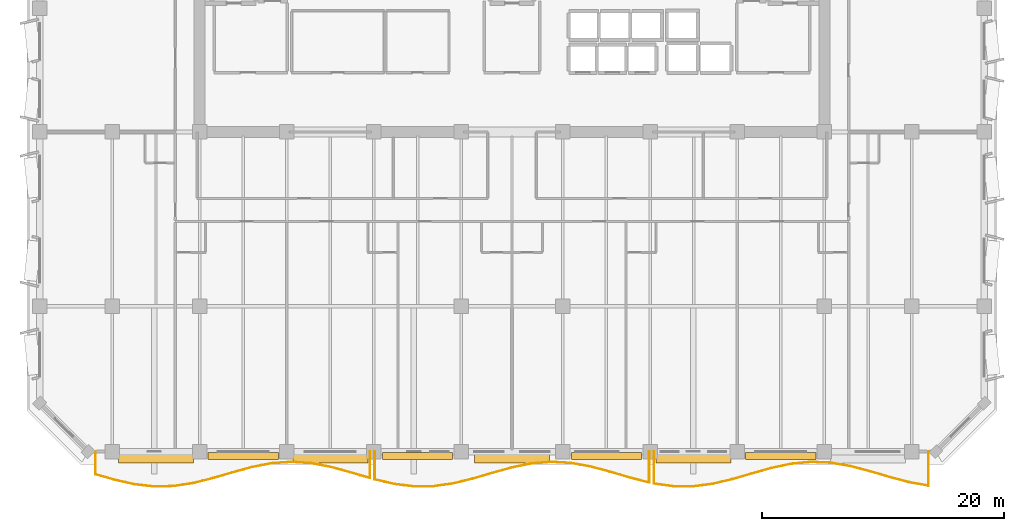
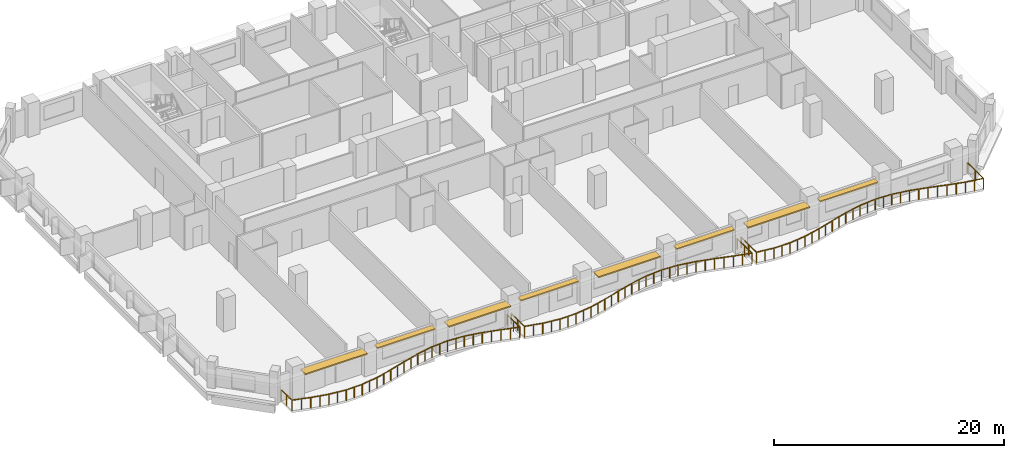
# One storey, part 10 of 14: 8 shading devices, 3 railings.
"""IFC4 building model written with IfcOpenShell, lengths in metres."""

from ifc_helpers import new_model, si_unit, direction, frame, origin, origin_2d, place, context, subcontext, project, spatial, rectangle, extrude, material, layer, layer_set, type_object, element, save


model = new_model("IFC4")

# Units and contexts
model_context = context("Model", 3, precision=1e-05, world=origin(), true_north=direction((0.0, 1.0)))
body_context = subcontext(model_context, "Body", "Model", "MODEL_VIEW")
ifc_project = project(units=[si_unit("LENGTHUNIT", "METRE"), si_unit("AREAUNIT", "SQUARE_METRE"), si_unit("VOLUMEUNIT", "CUBIC_METRE"), si_unit("PLANEANGLEUNIT", "RADIAN"), si_unit("MASSUNIT", "GRAM", prefix="KILO")], contexts=[model_context])

# Site, building, storey
site_placement = place(None, origin())
site = spatial("IfcSite", under=ifc_project, at=site_placement, CompositionType="ELEMENT")
building_placement = place(site_placement, origin())
building = spatial("IfcBuilding", under=site, at=building_placement, Name="Kaelvorn Grand Hotel", CompositionType="ELEMENT")
storey_placement = place(building_placement, frame((0.0, 0.0, 197.75)))
storey = spatial("IfcBuildingStorey", under=building, at=storey_placement, Name="L48", CompositionType="ELEMENT", Elevation=197.75)

# Railings
ifc_material_1 = material(Name="Stainless Steel", Category="steel")
railing_type = type_object("IfcRailingType", Name="RL-BALC-1150", PredefinedType="BALUSTRADE", material=ifc_material_1)
railing_1_placement = place(storey_placement, frame((7.60009765625, 3.0, 0.0)))
element("IfcRailing", 1, at=railing_1_placement, inside=storey, type_object=railing_type, Name="L48 Scalloped Wave Balcony Balustrade GR1-1", PredefinedType="BALUSTRADE", context=body_context, shape_type="SweptSolid", body=[
    extrude(rectangle(XDim=0.048095703125, YDim=0.048095703125, at=origin_2d()), frame((0.0, 0.0, 1.1259765625), z_axis=(0.0, -1.0, 0.0), x_axis=(1.0, 0.0, 0.0)), (0.0, 0.0, 1.0), 1.875),
    extrude(rectangle(XDim=0.048095703125, YDim=0.048095703125, at=origin_2d()), frame((0.0, -1.875, 1.1259765625), z_axis=(0.961123652399, -0.276118316667, 0.0), x_axis=(0.276118316667, 0.961123652399, 0.0)), (0.0, 0.0, 1.0), 1.684326171875),
    extrude(rectangle(XDim=0.048095703125, YDim=0.048095703125, at=origin_2d()), frame((1.618896484375, -2.340087890625, 1.1259765625), z_axis=(0.975679021294, -0.219204122697, 0.0), x_axis=(0.219204122697, 0.975679021294, 0.0)), (0.0, 0.0, 1.0), 1.659423828125),
    extrude(rectangle(XDim=0.048095703125, YDim=0.048095703125, at=origin_2d()), frame((3.238037109375, -2.703857421875, 1.1259765625), z_axis=(0.993647594746, -0.112536471672, 0.0), x_axis=(0.112536471672, 0.993647594746, 0.0)), (0.0, 0.0, 1.0), 1.629150390625),
    extrude(rectangle(XDim=0.048095703125, YDim=0.048095703125, at=origin_2d()), frame((4.85693359375, -2.88720703125, 1.1259765625), z_axis=(0.999737459028, 0.022913162511, 0.0), x_axis=(-0.022913162511, 0.999737459028, 0.0)), (0.0, 0.0, 1.0), 1.61962890625),
    extrude(rectangle(XDim=0.048095703125, YDim=0.048095703125, at=origin_2d()), frame((6.47607421875, -2.85009765625, 1.1259765625), z_axis=(0.988356186669, 0.15215797144, 0.0), x_axis=(-0.15215797144, 0.988356186669, 0.0)), (0.0, 0.0, 1.0), 1.63818359375),
    extrude(rectangle(XDim=0.048095703125, YDim=0.048095703125, at=origin_2d()), frame((8.09521484375, -2.600830078125, 1.1259765625), z_axis=(0.969754143814, 0.244083798224, 0.0), x_axis=(-0.244083798224, 0.969754143814, 0.0)), (0.0, 0.0, 1.0), 1.66943359375),
    extrude(rectangle(XDim=0.048095703125, YDim=0.048095703125, at=origin_2d()), frame((9.714111328125, -2.193359375, 1.1259765625), z_axis=(0.959271015447, 0.282487378343, 0.0), x_axis=(-0.282487378343, 0.959271015447, 0.0)), (0.0, 0.0, 1.0), 1.68798828125),
    extrude(rectangle(XDim=0.048095703125, YDim=0.048095703125, at=origin_2d()), frame((11.333251953125, -1.716552734375, 1.1259765625), z_axis=(0.964679853883, 0.26342509279, 0.0), x_axis=(-0.26342509279, 0.964679853883, 0.0)), (0.0, 0.0, 1.0), 1.678466796875),
    extrude(rectangle(XDim=0.048095703125, YDim=0.048095703125, at=origin_2d()), frame((12.952392578125, -1.2744140625, 1.1259765625), z_axis=(0.981984258407, 0.188962737706, 0.0), x_axis=(-0.188962737706, 0.981984258407, 0.0)), (0.0, 0.0, 1.0), 1.648681640625),
    extrude(rectangle(XDim=0.048095703125, YDim=0.048095703125, at=origin_2d()), frame((14.5712890625, -0.962890625, 1.1259765625), z_axis=(0.997582381569, 0.069493826943, 0.0), x_axis=(-0.069493826943, 0.997582381569, 0.0)), (0.0, 0.0, 1.0), 1.623046875),
    extrude(rectangle(XDim=0.048095703125, YDim=0.048095703125, at=origin_2d()), frame((16.1904296875, -0.85009765625, 1.1259765625), z_axis=(0.997695050209, -0.067857105662, 0.0), x_axis=(0.067857105662, 0.997695050209, 0.0)), (0.0, 0.0, 1.0), 1.62255859375),
    extrude(rectangle(XDim=0.048095703125, YDim=0.048095703125, at=origin_2d()), frame((17.809326171875, -0.960205078125, 1.1259765625), z_axis=(0.98220870142, -0.187792616616, 0.0), x_axis=(0.187792616616, 0.98220870142, 0.0)), (0.0, 0.0, 1.0), 1.6484375),
    extrude(rectangle(XDim=0.048095703125, YDim=0.048095703125, at=origin_2d()), frame((19.428466796875, -1.269775390625, 1.1259765625), z_axis=(0.964827580551, -0.26288350996, 0.0), x_axis=(0.26288350996, 0.964827580551, 0.0)), (0.0, 0.0, 1.0), 1.67822265625),
    extrude(rectangle(XDim=0.048095703125, YDim=0.048095703125, at=origin_2d()), frame((21.047607421875, -1.7109375, 1.1259765625), z_axis=(0.95922025705, -0.282659686665, 0.0), x_axis=(0.282659686665, 0.95922025705, 0.0)), (0.0, 0.0, 1.0), 1.687744140625),
    extrude(rectangle(XDim=0.048095703125, YDim=0.048095703125, at=origin_2d()), frame((22.66650390625, -2.18798828125, 1.1259765625), z_axis=(0.0, 1.0, 0.0), x_axis=(-1.0, 0.0, 0.0)), (0.0, 0.0, 1.0), 2.18798828125),
    extrude(rectangle(XDim=0.0419921875, YDim=0.0419921875, at=origin_2d()), origin(), (0.0, 0.0, 1.0), 1.101806640625),
    extrude(rectangle(XDim=0.0419921875, YDim=0.0419921875, at=origin_2d()), frame((0.0, -0.9375, 0.0)), (0.0, 0.0, 1.0), 1.101806640625),
    extrude(rectangle(XDim=0.0419921875, YDim=0.0419921875, at=origin_2d()), frame((0.0, -1.875, 0.0)), (0.0, 0.0, 1.0), 1.101806640625),
    extrude(rectangle(XDim=0.0419921875, YDim=0.0419921875, at=origin_2d()), frame((0.8095703125, -2.107421875, 0.0)), (0.0, 0.0, 1.0), 1.101806640625),
    extrude(rectangle(XDim=0.0419921875, YDim=0.0419921875, at=origin_2d()), frame((1.618896484375, -2.340087890625, 0.0)), (0.0, 0.0, 1.0), 1.101806640625),
    extrude(rectangle(XDim=0.0419921875, YDim=0.0419921875, at=origin_2d()), frame((2.428466796875, -2.52197265625, 0.0)), (0.0, 0.0, 1.0), 1.101806640625),
    extrude(rectangle(XDim=0.0419921875, YDim=0.0419921875, at=origin_2d()), frame((3.238037109375, -2.703857421875, 0.0)), (0.0, 0.0, 1.0), 1.101806640625),
    extrude(rectangle(XDim=0.0419921875, YDim=0.0419921875, at=origin_2d()), frame((4.04736328125, -2.79541015625, 0.0)), (0.0, 0.0, 1.0), 1.101806640625),
    extrude(rectangle(XDim=0.0419921875, YDim=0.0419921875, at=origin_2d()), frame((4.85693359375, -2.88720703125, 0.0)), (0.0, 0.0, 1.0), 1.101806640625),
    extrude(rectangle(XDim=0.0419921875, YDim=0.0419921875, at=origin_2d()), frame((5.66650390625, -2.86865234375, 0.0)), (0.0, 0.0, 1.0), 1.101806640625),
    extrude(rectangle(XDim=0.0419921875, YDim=0.0419921875, at=origin_2d()), frame((6.47607421875, -2.85009765625, 0.0)), (0.0, 0.0, 1.0), 1.101806640625),
    extrude(rectangle(XDim=0.0419921875, YDim=0.0419921875, at=origin_2d()), frame((7.28564453125, -2.7255859375, 0.0)), (0.0, 0.0, 1.0), 1.101806640625),
    extrude(rectangle(XDim=0.0419921875, YDim=0.0419921875, at=origin_2d()), frame((8.09521484375, -2.600830078125, 0.0)), (0.0, 0.0, 1.0), 1.101806640625),
    extrude(rectangle(XDim=0.0419921875, YDim=0.0419921875, at=origin_2d()), frame((8.90478515625, -2.39697265625, 0.0)), (0.0, 0.0, 1.0), 1.101806640625),
    extrude(rectangle(XDim=0.0419921875, YDim=0.0419921875, at=origin_2d()), frame((9.714111328125, -2.193359375, 0.0)), (0.0, 0.0, 1.0), 1.101806640625),
    extrude(rectangle(XDim=0.0419921875, YDim=0.0419921875, at=origin_2d()), frame((10.523681640625, -1.955078125, 0.0)), (0.0, 0.0, 1.0), 1.101806640625),
    extrude(rectangle(XDim=0.0419921875, YDim=0.0419921875, at=origin_2d()), frame((11.333251953125, -1.716552734375, 0.0)), (0.0, 0.0, 1.0), 1.101806640625),
    extrude(rectangle(XDim=0.0419921875, YDim=0.0419921875, at=origin_2d()), frame((12.142822265625, -1.49560546875, 0.0)), (0.0, 0.0, 1.0), 1.101806640625),
    extrude(rectangle(XDim=0.0419921875, YDim=0.0419921875, at=origin_2d()), frame((12.952392578125, -1.2744140625, 0.0)), (0.0, 0.0, 1.0), 1.101806640625),
    extrude(rectangle(XDim=0.0419921875, YDim=0.0419921875, at=origin_2d()), frame((13.76171875, -1.11865234375, 0.0)), (0.0, 0.0, 1.0), 1.101806640625),
    extrude(rectangle(XDim=0.0419921875, YDim=0.0419921875, at=origin_2d()), frame((14.5712890625, -0.962890625, 0.0)), (0.0, 0.0, 1.0), 1.101806640625),
    extrude(rectangle(XDim=0.0419921875, YDim=0.0419921875, at=origin_2d()), frame((15.380859375, -0.906494140625, 0.0)), (0.0, 0.0, 1.0), 1.101806640625),
    extrude(rectangle(XDim=0.0419921875, YDim=0.0419921875, at=origin_2d()), frame((16.1904296875, -0.85009765625, 0.0)), (0.0, 0.0, 1.0), 1.101806640625),
    extrude(rectangle(XDim=0.0419921875, YDim=0.0419921875, at=origin_2d()), frame((17.0, -0.9052734375, 0.0)), (0.0, 0.0, 1.0), 1.101806640625),
    extrude(rectangle(XDim=0.0419921875, YDim=0.0419921875, at=origin_2d()), frame((17.809326171875, -0.960205078125, 0.0)), (0.0, 0.0, 1.0), 1.101806640625),
    extrude(rectangle(XDim=0.0419921875, YDim=0.0419921875, at=origin_2d()), frame((18.618896484375, -1.114990234375, 0.0)), (0.0, 0.0, 1.0), 1.101806640625),
    extrude(rectangle(XDim=0.0419921875, YDim=0.0419921875, at=origin_2d()), frame((19.428466796875, -1.269775390625, 0.0)), (0.0, 0.0, 1.0), 1.101806640625),
    extrude(rectangle(XDim=0.0419921875, YDim=0.0419921875, at=origin_2d()), frame((20.238037109375, -1.490234375, 0.0)), (0.0, 0.0, 1.0), 1.101806640625),
    extrude(rectangle(XDim=0.0419921875, YDim=0.0419921875, at=origin_2d()), frame((21.047607421875, -1.7109375, 0.0)), (0.0, 0.0, 1.0), 1.101806640625),
    extrude(rectangle(XDim=0.0419921875, YDim=0.0419921875, at=origin_2d()), frame((21.85693359375, -1.949462890625, 0.0)), (0.0, 0.0, 1.0), 1.101806640625),
    extrude(rectangle(XDim=0.0419921875, YDim=0.0419921875, at=origin_2d()), frame((22.66650390625, -2.18798828125, 0.0)), (0.0, 0.0, 1.0), 1.101806640625),
    extrude(rectangle(XDim=0.0419921875, YDim=0.0419921875, at=origin_2d()), frame((22.66650390625, -1.093994140625, 0.0)), (0.0, 0.0, 1.0), 1.101806640625),
    extrude(rectangle(XDim=0.0419921875, YDim=0.0419921875, at=origin_2d()), frame((22.66650390625, 0.0, 0.0)), (0.0, 0.0, 1.0), 1.101806640625),
])
railing_2_placement = place(storey_placement, frame((30.666748046875, 3.0, 0.0)))
element("IfcRailing", 2, at=railing_2_placement, inside=storey, type_object=railing_type, Name="L48 Scalloped Wave Balcony Balustrade GR1-2", PredefinedType="BALUSTRADE", context=body_context, shape_type="SweptSolid", body=[
    extrude(rectangle(XDim=0.048095703125, YDim=0.048095703125, at=origin_2d()), frame((0.0, 0.0, 1.1259765625), z_axis=(0.0, -1.0, 0.0), x_axis=(1.0, 0.0, 0.0)), (0.0, 0.0, 1.0), 2.299072265625),
    extrude(rectangle(XDim=0.048095703125, YDim=0.048095703125, at=origin_2d()), frame((0.0, -2.299072265625, 1.1259765625), z_axis=(0.97391374526, -0.226918524571, 0.0), x_axis=(0.226918524571, 0.97391374526, 0.0)), (0.0, 0.0, 1.0), 1.662353515625),
    extrude(rectangle(XDim=0.048095703125, YDim=0.048095703125, at=origin_2d()), frame((1.618896484375, -2.67626953125, 1.1259765625), z_axis=(0.992241004877, -0.124329353898, 0.0), x_axis=(0.124329353898, 0.992241004877, 0.0)), (0.0, 0.0, 1.0), 1.6318359375),
    extrude(rectangle(XDim=0.048095703125, YDim=0.048095703125, at=origin_2d()), frame((3.238037109375, -2.879150390625, 1.1259765625), z_axis=(0.999951974002, 0.009800494317, 0.0), x_axis=(-0.009800494317, 0.999951974002, 0.0)), (0.0, 0.0, 1.0), 1.619140625),
    extrude(rectangle(XDim=0.048095703125, YDim=0.048095703125, at=origin_2d()), frame((4.857177734375, -2.86328125, 1.1259765625), z_axis=(0.98995546446, 0.141379554342, 0.0), x_axis=(-0.141379554342, 0.98995546446, 0.0)), (0.0, 0.0, 1.0), 1.63525390625),
    extrude(rectangle(XDim=0.048095703125, YDim=0.048095703125, at=origin_2d()), frame((6.47607421875, -2.632080078125, 1.1259765625), z_axis=(0.971404261789, 0.237431590525, 0.0), x_axis=(-0.237431590525, 0.971404261789, 0.0)), (0.0, 0.0, 1.0), 1.666748046875),
    extrude(rectangle(XDim=0.048095703125, YDim=0.048095703125, at=origin_2d()), frame((8.09521484375, -2.236328125, 1.1259765625), z_axis=(0.959611705513, 0.281327877472, 0.0), x_axis=(-0.281327877472, 0.959611705513, 0.0)), (0.0, 0.0, 1.0), 1.68701171875),
    extrude(rectangle(XDim=0.048095703125, YDim=0.048095703125, at=origin_2d()), frame((9.714111328125, -1.76171875, 1.1259765625), z_axis=(0.963488764912, 0.267748762626, 0.0), x_axis=(-0.267748762626, 0.963488764912, 0.0)), (0.0, 0.0, 1.0), 1.680419921875),
    extrude(rectangle(XDim=0.048095703125, YDim=0.048095703125, at=origin_2d()), frame((11.333251953125, -1.311767578125, 1.1259765625), z_axis=(0.980192223975, 0.198048489163, 0.0), x_axis=(-0.198048489163, 0.980192223975, 0.0)), (0.0, 0.0, 1.0), 1.65185546875),
    extrude(rectangle(XDim=0.048095703125, YDim=0.048095703125, at=origin_2d()), frame((12.952392578125, -0.984619140625, 1.1259765625), z_axis=(0.996614857053, 0.082212083669, 0.0), x_axis=(-0.082212083669, 0.996614857053, 0.0)), (0.0, 0.0, 1.0), 1.62451171875),
    extrude(rectangle(XDim=0.048095703125, YDim=0.048095703125, at=origin_2d()), frame((14.5712890625, -0.85107421875, 1.1259765625), z_axis=(0.998472373967, -0.055253220936, 0.0), x_axis=(0.055253220936, 0.998472373967, 0.0)), (0.0, 0.0, 1.0), 1.62158203125),
    extrude(rectangle(XDim=0.048095703125, YDim=0.048095703125, at=origin_2d()), frame((16.1904296875, -0.940673828125, 1.1259765625), z_axis=(0.984016786226, -0.178075726658, 0.0), x_axis=(0.178075726658, 0.984016786226, 0.0)), (0.0, 0.0, 1.0), 1.645263671875),
    extrude(rectangle(XDim=0.048095703125, YDim=0.048095703125, at=origin_2d()), frame((17.809326171875, -1.233642578125, 1.1259765625), z_axis=(0.966109097748, -0.258134095478, 0.0), x_axis=(0.258134095478, 0.966109097748, 0.0)), (0.0, 0.0, 1.0), 1.676025390625),
    extrude(rectangle(XDim=0.048095703125, YDim=0.048095703125, at=origin_2d()), frame((19.428466796875, -1.666259765625, 1.1259765625), z_axis=(0.959074846834, -0.283152676433, 0.0), x_axis=(0.283152676433, 0.959074846834, 0.0)), (0.0, 0.0, 1.0), 1.688232421875),
    extrude(rectangle(XDim=0.048095703125, YDim=0.048095703125, at=origin_2d()), frame((21.047607421875, -2.144287109375, 1.1259765625), z_axis=(0.968037604071, -0.250805097843, 0.0), x_axis=(0.250805097843, 0.968037604071, 0.0)), (0.0, 0.0, 1.0), 1.67236328125),
    extrude(rectangle(XDim=0.048095703125, YDim=0.048095703125, at=origin_2d()), frame((22.66650390625, -2.563720703125, 1.1259765625), z_axis=(0.0, 1.0, 0.0), x_axis=(-1.0, 0.0, 0.0)), (0.0, 0.0, 1.0), 2.563720703125),
    extrude(rectangle(XDim=0.0419921875, YDim=0.0419921875, at=origin_2d()), origin(), (0.0, 0.0, 1.0), 1.101806640625),
    extrude(rectangle(XDim=0.0419921875, YDim=0.0419921875, at=origin_2d()), frame((0.0, -1.1494140625, 0.0)), (0.0, 0.0, 1.0), 1.101806640625),
    extrude(rectangle(XDim=0.0419921875, YDim=0.0419921875, at=origin_2d()), frame((0.0, -2.299072265625, 0.0)), (0.0, 0.0, 1.0), 1.101806640625),
    extrude(rectangle(XDim=0.0419921875, YDim=0.0419921875, at=origin_2d()), frame((0.8095703125, -2.48779296875, 0.0)), (0.0, 0.0, 1.0), 1.101806640625),
    extrude(rectangle(XDim=0.0419921875, YDim=0.0419921875, at=origin_2d()), frame((1.618896484375, -2.67626953125, 0.0)), (0.0, 0.0, 1.0), 1.101806640625),
    extrude(rectangle(XDim=0.0419921875, YDim=0.0419921875, at=origin_2d()), frame((2.428466796875, -2.77783203125, 0.0)), (0.0, 0.0, 1.0), 1.101806640625),
    extrude(rectangle(XDim=0.0419921875, YDim=0.0419921875, at=origin_2d()), frame((3.238037109375, -2.879150390625, 0.0)), (0.0, 0.0, 1.0), 1.101806640625),
    extrude(rectangle(XDim=0.0419921875, YDim=0.0419921875, at=origin_2d()), frame((4.047607421875, -2.87109375, 0.0)), (0.0, 0.0, 1.0), 1.101806640625),
    extrude(rectangle(XDim=0.0419921875, YDim=0.0419921875, at=origin_2d()), frame((4.857177734375, -2.86328125, 0.0)), (0.0, 0.0, 1.0), 1.101806640625),
    extrude(rectangle(XDim=0.0419921875, YDim=0.0419921875, at=origin_2d()), frame((5.66650390625, -2.74755859375, 0.0)), (0.0, 0.0, 1.0), 1.101806640625),
    extrude(rectangle(XDim=0.0419921875, YDim=0.0419921875, at=origin_2d()), frame((6.47607421875, -2.632080078125, 0.0)), (0.0, 0.0, 1.0), 1.101806640625),
    extrude(rectangle(XDim=0.0419921875, YDim=0.0419921875, at=origin_2d()), frame((7.28564453125, -2.43408203125, 0.0)), (0.0, 0.0, 1.0), 1.101806640625),
    extrude(rectangle(XDim=0.0419921875, YDim=0.0419921875, at=origin_2d()), frame((8.09521484375, -2.236328125, 0.0)), (0.0, 0.0, 1.0), 1.101806640625),
    extrude(rectangle(XDim=0.0419921875, YDim=0.0419921875, at=origin_2d()), frame((8.90478515625, -1.9990234375, 0.0)), (0.0, 0.0, 1.0), 1.101806640625),
    extrude(rectangle(XDim=0.0419921875, YDim=0.0419921875, at=origin_2d()), frame((9.714111328125, -1.76171875, 0.0)), (0.0, 0.0, 1.0), 1.101806640625),
    extrude(rectangle(XDim=0.0419921875, YDim=0.0419921875, at=origin_2d()), frame((10.523681640625, -1.53662109375, 0.0)), (0.0, 0.0, 1.0), 1.101806640625),
    extrude(rectangle(XDim=0.0419921875, YDim=0.0419921875, at=origin_2d()), frame((11.333251953125, -1.311767578125, 0.0)), (0.0, 0.0, 1.0), 1.101806640625),
    extrude(rectangle(XDim=0.0419921875, YDim=0.0419921875, at=origin_2d()), frame((12.142822265625, -1.148193359375, 0.0)), (0.0, 0.0, 1.0), 1.101806640625),
    extrude(rectangle(XDim=0.0419921875, YDim=0.0419921875, at=origin_2d()), frame((12.952392578125, -0.984619140625, 0.0)), (0.0, 0.0, 1.0), 1.101806640625),
    extrude(rectangle(XDim=0.0419921875, YDim=0.0419921875, at=origin_2d()), frame((13.76171875, -0.91796875, 0.0)), (0.0, 0.0, 1.0), 1.101806640625),
    extrude(rectangle(XDim=0.0419921875, YDim=0.0419921875, at=origin_2d()), frame((14.5712890625, -0.85107421875, 0.0)), (0.0, 0.0, 1.0), 1.101806640625),
    extrude(rectangle(XDim=0.0419921875, YDim=0.0419921875, at=origin_2d()), frame((15.380859375, -0.89599609375, 0.0)), (0.0, 0.0, 1.0), 1.101806640625),
    extrude(rectangle(XDim=0.0419921875, YDim=0.0419921875, at=origin_2d()), frame((16.1904296875, -0.940673828125, 0.0)), (0.0, 0.0, 1.0), 1.101806640625),
    extrude(rectangle(XDim=0.0419921875, YDim=0.0419921875, at=origin_2d()), frame((17.0, -1.087158203125, 0.0)), (0.0, 0.0, 1.0), 1.101806640625),
    extrude(rectangle(XDim=0.0419921875, YDim=0.0419921875, at=origin_2d()), frame((17.809326171875, -1.233642578125, 0.0)), (0.0, 0.0, 1.0), 1.101806640625),
    extrude(rectangle(XDim=0.0419921875, YDim=0.0419921875, at=origin_2d()), frame((18.618896484375, -1.449951171875, 0.0)), (0.0, 0.0, 1.0), 1.101806640625),
    extrude(rectangle(XDim=0.0419921875, YDim=0.0419921875, at=origin_2d()), frame((19.428466796875, -1.666259765625, 0.0)), (0.0, 0.0, 1.0), 1.101806640625),
    extrude(rectangle(XDim=0.0419921875, YDim=0.0419921875, at=origin_2d()), frame((20.238037109375, -1.9052734375, 0.0)), (0.0, 0.0, 1.0), 1.101806640625),
    extrude(rectangle(XDim=0.0419921875, YDim=0.0419921875, at=origin_2d()), frame((21.047607421875, -2.144287109375, 0.0)), (0.0, 0.0, 1.0), 1.101806640625),
    extrude(rectangle(XDim=0.0419921875, YDim=0.0419921875, at=origin_2d()), frame((21.85693359375, -2.35400390625, 0.0)), (0.0, 0.0, 1.0), 1.101806640625),
    extrude(rectangle(XDim=0.0419921875, YDim=0.0419921875, at=origin_2d()), frame((22.66650390625, -2.563720703125, 0.0)), (0.0, 0.0, 1.0), 1.101806640625),
    extrude(rectangle(XDim=0.0419921875, YDim=0.0419921875, at=origin_2d()), frame((22.66650390625, -1.28173828125, 0.0)), (0.0, 0.0, 1.0), 1.101806640625),
    extrude(rectangle(XDim=0.0419921875, YDim=0.0419921875, at=origin_2d()), frame((22.66650390625, 0.0, 0.0)), (0.0, 0.0, 1.0), 1.101806640625),
])
railing_3_placement = place(storey_placement, frame((53.7333984375, 3.0, 0.0)))
element("IfcRailing", 3, at=railing_3_placement, inside=storey, type_object=railing_type, Name="L48 Scalloped Wave Balcony Balustrade GR1-3", PredefinedType="BALUSTRADE", context=body_context, shape_type="SweptSolid", body=[
    extrude(rectangle(XDim=0.048095703125, YDim=0.048095703125, at=origin_2d()), frame((0.0, 0.0, 1.1259765625), z_axis=(0.0, -1.0, 0.0), x_axis=(1.0, 0.0, 0.0)), (0.0, 0.0, 1.0), 2.647216796875),
    extrude(rectangle(XDim=0.048095703125, YDim=0.048095703125, at=origin_2d()), frame((0.0, -2.647216796875, 1.1259765625), z_axis=(0.99075454956, -0.135666585885, 0.0), x_axis=(0.135666585885, 0.99075454956, 0.0)), (0.0, 0.0, 1.0), 1.634033203125),
    extrude(rectangle(XDim=0.048095703125, YDim=0.048095703125, at=origin_2d()), frame((1.618896484375, -2.868896484375, 1.1259765625), z_axis=(0.999994497973, -0.003317231447, 0.0), x_axis=(0.003317231447, 0.999994497973, 0.0)), (0.0, 0.0, 1.0), 1.619140625),
    extrude(rectangle(XDim=0.048095703125, YDim=0.048095703125, at=origin_2d()), frame((3.238037109375, -2.874267578125, 1.1259765625), z_axis=(0.991524375994, 0.129920790522, 0.0), x_axis=(-0.129920790522, 0.991524375994, 0.0)), (0.0, 0.0, 1.0), 1.633056640625),
    extrude(rectangle(XDim=0.048095703125, YDim=0.048095703125, at=origin_2d()), frame((4.857177734375, -2.662109375, 1.1259765625), z_axis=(0.9730309029, 0.230674797068, 0.0), x_axis=(-0.230674797068, 0.9730309029, 0.0)), (0.0, 0.0, 1.0), 1.663818359375),
    extrude(rectangle(XDim=0.048095703125, YDim=0.048095703125, at=origin_2d()), frame((6.47607421875, -2.2783203125, 1.1259765625), z_axis=(0.960129612925, 0.279555229578, 0.0), x_axis=(-0.279555229578, 0.960129612925, 0.0)), (0.0, 0.0, 1.0), 1.686279296875),
    extrude(rectangle(XDim=0.048095703125, YDim=0.048095703125, at=origin_2d()), frame((8.09521484375, -1.806884765625, 1.1259765625), z_axis=(0.962460371108, 0.271422243096, 0.0), x_axis=(-0.271422243096, 0.962460371108, 0.0)), (0.0, 0.0, 1.0), 1.68212890625),
    extrude(rectangle(XDim=0.048095703125, YDim=0.048095703125, at=origin_2d()), frame((9.714111328125, -1.350341796875, 1.1259765625), z_axis=(0.978347405414, 0.206969452623, 0.0), x_axis=(-0.206969452623, 0.978347405414, 0.0)), (0.0, 0.0, 1.0), 1.655029296875),
    extrude(rectangle(XDim=0.048095703125, YDim=0.048095703125, at=origin_2d()), frame((11.333251953125, -1.0078125, 1.1259765625), z_axis=(0.995532502305, 0.094419472851, 0.0), x_axis=(-0.094419472851, 0.995532502305, 0.0)), (0.0, 0.0, 1.0), 1.62646484375),
    extrude(rectangle(XDim=0.048095703125, YDim=0.048095703125, at=origin_2d()), frame((12.952392578125, -0.854248046875, 1.1259765625), z_axis=(0.999103314506, -0.042338716842, 0.0), x_axis=(0.042338716842, 0.999103314506, 0.0)), (0.0, 0.0, 1.0), 1.620361328125),
    extrude(rectangle(XDim=0.048095703125, YDim=0.048095703125, at=origin_2d()), frame((14.5712890625, -0.9228515625, 1.1259765625), z_axis=(0.985768283412, -0.168109760033, 0.0), x_axis=(0.168109760033, 0.985768283412, 0.0)), (0.0, 0.0, 1.0), 1.642578125),
    extrude(rectangle(XDim=0.048095703125, YDim=0.048095703125, at=origin_2d()), frame((16.1904296875, -1.198974609375, 1.1259765625), z_axis=(0.967513392328, -0.252819769135, 0.0), x_axis=(0.252819769135, 0.967513392328, 0.0)), (0.0, 0.0, 1.0), 1.673583984375),
    extrude(rectangle(XDim=0.048095703125, YDim=0.048095703125, at=origin_2d()), frame((17.8095703125, -1.6220703125, 1.1259765625), z_axis=(0.959023960124, -0.283324979322, 0.0), x_axis=(0.283324979322, 0.959023960124, 0.0)), (0.0, 0.0, 1.0), 1.68798828125),
    extrude(rectangle(XDim=0.048095703125, YDim=0.048095703125, at=origin_2d()), frame((19.428466796875, -2.100341796875, 1.1259765625), z_axis=(0.966616093109, -0.256229054838, 0.0), x_axis=(0.256229054838, 0.966616093109, 0.0)), (0.0, 0.0, 1.0), 1.675048828125),
    extrude(rectangle(XDim=0.048095703125, YDim=0.048095703125, at=origin_2d()), frame((21.047607421875, -2.529541015625, 1.1259765625), z_axis=(0.98468623376, -0.174335943061, 0.0), x_axis=(0.174335943061, 0.98468623376, 0.0)), (0.0, 0.0, 1.0), 1.64404296875),
    extrude(rectangle(XDim=0.048095703125, YDim=0.048095703125, at=origin_2d()), frame((22.66650390625, -2.816162109375, 1.1259765625), z_axis=(0.0, 1.0, 0.0), x_axis=(-1.0, 0.0, 0.0)), (0.0, 0.0, 1.0), 2.816162109375),
    extrude(rectangle(XDim=0.0419921875, YDim=0.0419921875, at=origin_2d()), origin(), (0.0, 0.0, 1.0), 1.101806640625),
    extrude(rectangle(XDim=0.0419921875, YDim=0.0419921875, at=origin_2d()), frame((0.0, -1.32373046875, 0.0)), (0.0, 0.0, 1.0), 1.101806640625),
    extrude(rectangle(XDim=0.0419921875, YDim=0.0419921875, at=origin_2d()), frame((0.0, -2.647216796875, 0.0)), (0.0, 0.0, 1.0), 1.101806640625),
    extrude(rectangle(XDim=0.0419921875, YDim=0.0419921875, at=origin_2d()), frame((0.8095703125, -2.758056640625, 0.0)), (0.0, 0.0, 1.0), 1.101806640625),
    extrude(rectangle(XDim=0.0419921875, YDim=0.0419921875, at=origin_2d()), frame((1.618896484375, -2.868896484375, 0.0)), (0.0, 0.0, 1.0), 1.101806640625),
    extrude(rectangle(XDim=0.0419921875, YDim=0.0419921875, at=origin_2d()), frame((2.428466796875, -2.87158203125, 0.0)), (0.0, 0.0, 1.0), 1.101806640625),
    extrude(rectangle(XDim=0.0419921875, YDim=0.0419921875, at=origin_2d()), frame((3.238037109375, -2.874267578125, 0.0)), (0.0, 0.0, 1.0), 1.101806640625),
    extrude(rectangle(XDim=0.0419921875, YDim=0.0419921875, at=origin_2d()), frame((4.047607421875, -2.76806640625, 0.0)), (0.0, 0.0, 1.0), 1.101806640625),
    extrude(rectangle(XDim=0.0419921875, YDim=0.0419921875, at=origin_2d()), frame((4.857177734375, -2.662109375, 0.0)), (0.0, 0.0, 1.0), 1.101806640625),
    extrude(rectangle(XDim=0.0419921875, YDim=0.0419921875, at=origin_2d()), frame((5.66650390625, -2.47021484375, 0.0)), (0.0, 0.0, 1.0), 1.101806640625),
    extrude(rectangle(XDim=0.0419921875, YDim=0.0419921875, at=origin_2d()), frame((6.47607421875, -2.2783203125, 0.0)), (0.0, 0.0, 1.0), 1.101806640625),
    extrude(rectangle(XDim=0.0419921875, YDim=0.0419921875, at=origin_2d()), frame((7.28564453125, -2.04248046875, 0.0)), (0.0, 0.0, 1.0), 1.101806640625),
    extrude(rectangle(XDim=0.0419921875, YDim=0.0419921875, at=origin_2d()), frame((8.09521484375, -1.806884765625, 0.0)), (0.0, 0.0, 1.0), 1.101806640625),
    extrude(rectangle(XDim=0.0419921875, YDim=0.0419921875, at=origin_2d()), frame((8.90478515625, -1.57861328125, 0.0)), (0.0, 0.0, 1.0), 1.101806640625),
    extrude(rectangle(XDim=0.0419921875, YDim=0.0419921875, at=origin_2d()), frame((9.714111328125, -1.350341796875, 0.0)), (0.0, 0.0, 1.0), 1.101806640625),
    extrude(rectangle(XDim=0.0419921875, YDim=0.0419921875, at=origin_2d()), frame((10.523681640625, -1.17919921875, 0.0)), (0.0, 0.0, 1.0), 1.101806640625),
    extrude(rectangle(XDim=0.0419921875, YDim=0.0419921875, at=origin_2d()), frame((11.333251953125, -1.0078125, 0.0)), (0.0, 0.0, 1.0), 1.101806640625),
    extrude(rectangle(XDim=0.0419921875, YDim=0.0419921875, at=origin_2d()), frame((12.142822265625, -0.93115234375, 0.0)), (0.0, 0.0, 1.0), 1.101806640625),
    extrude(rectangle(XDim=0.0419921875, YDim=0.0419921875, at=origin_2d()), frame((12.952392578125, -0.854248046875, 0.0)), (0.0, 0.0, 1.0), 1.101806640625),
    extrude(rectangle(XDim=0.0419921875, YDim=0.0419921875, at=origin_2d()), frame((13.76171875, -0.888671875, 0.0)), (0.0, 0.0, 1.0), 1.101806640625),
    extrude(rectangle(XDim=0.0419921875, YDim=0.0419921875, at=origin_2d()), frame((14.5712890625, -0.9228515625, 0.0)), (0.0, 0.0, 1.0), 1.101806640625),
    extrude(rectangle(XDim=0.0419921875, YDim=0.0419921875, at=origin_2d()), frame((15.380859375, -1.06103515625, 0.0)), (0.0, 0.0, 1.0), 1.101806640625),
    extrude(rectangle(XDim=0.0419921875, YDim=0.0419921875, at=origin_2d()), frame((16.1904296875, -1.198974609375, 0.0)), (0.0, 0.0, 1.0), 1.101806640625),
    extrude(rectangle(XDim=0.0419921875, YDim=0.0419921875, at=origin_2d()), frame((17.0, -1.41064453125, 0.0)), (0.0, 0.0, 1.0), 1.101806640625),
    extrude(rectangle(XDim=0.0419921875, YDim=0.0419921875, at=origin_2d()), frame((17.8095703125, -1.6220703125, 0.0)), (0.0, 0.0, 1.0), 1.101806640625),
    extrude(rectangle(XDim=0.0419921875, YDim=0.0419921875, at=origin_2d()), frame((18.619140625, -1.861328125, 0.0)), (0.0, 0.0, 1.0), 1.101806640625),
    extrude(rectangle(XDim=0.0419921875, YDim=0.0419921875, at=origin_2d()), frame((19.428466796875, -2.100341796875, 0.0)), (0.0, 0.0, 1.0), 1.101806640625),
    extrude(rectangle(XDim=0.0419921875, YDim=0.0419921875, at=origin_2d()), frame((20.238037109375, -2.31494140625, 0.0)), (0.0, 0.0, 1.0), 1.101806640625),
    extrude(rectangle(XDim=0.0419921875, YDim=0.0419921875, at=origin_2d()), frame((21.047607421875, -2.529541015625, 0.0)), (0.0, 0.0, 1.0), 1.101806640625),
    extrude(rectangle(XDim=0.0419921875, YDim=0.0419921875, at=origin_2d()), frame((21.85693359375, -2.6728515625, 0.0)), (0.0, 0.0, 1.0), 1.101806640625),
    extrude(rectangle(XDim=0.0419921875, YDim=0.0419921875, at=origin_2d()), frame((22.66650390625, -2.816162109375, 0.0)), (0.0, 0.0, 1.0), 1.101806640625),
    extrude(rectangle(XDim=0.0419921875, YDim=0.0419921875, at=origin_2d()), frame((22.66650390625, -1.408203125, 0.0)), (0.0, 0.0, 1.0), 1.101806640625),
    extrude(rectangle(XDim=0.0419921875, YDim=0.0419921875, at=origin_2d()), frame((22.66650390625, 0.0, 0.0)), (0.0, 0.0, 1.0), 1.101806640625),
])

# Shading devices
ifc_material_2 = material(Name="Precast concrete C45/55", Category="concrete")
ifc_layer_1 = layer(ifc_material_2, 0.1201171875)
ifc_layer_set_1 = layer_set([ifc_layer_1], Name="Precast concrete C45/55")
shading_device_type_1 = type_object("IfcShadingDeviceType", Name="SHD-SUNSHADE-550", PredefinedType="USERDEFINED", material=ifc_layer_set_1)
for number, where, z_axis, x_axis, name in (
    (4, (19.800048828125, 2.64501953125, 2.56005859375), (0.0, 0.0, 1.0), (1.0, 0.0, 0.0), "L48 Horizontal Concrete Sunshade Band SS-03"),
    (5, (34.199951171875, 2.64501953125, 2.56005859375), (0.0, 0.0, 1.0), (1.0, 0.0, 0.0), "L48 Horizontal Concrete Sunshade Band SS-05"),
    (6, (49.800048828125, 2.64501953125, 2.56005859375), (0.0, 0.0, 1.0), (1.0, 0.0, 0.0), "L48 Horizontal Concrete Sunshade Band SS-07"),
    (7, (64.199951171875, 2.64501953125, 2.56005859375), (0.0, 0.0, 1.0), (1.0, 0.0, 0.0), "L48 Horizontal Concrete Sunshade Band SS-09"),
):
    element("IfcShadingDevice", number, at=place(storey_placement, frame(where, z_axis=z_axis, x_axis=x_axis)), inside=storey, type_object=shading_device_type_1, Name=name, ObjectType="SUNSHADE", PredefinedType="USERDEFINED", context=body_context, shape_type="SweptSolid", body=[
        extrude(rectangle(XDim=5.800048828125, YDim=0.550048828125, at=origin_2d()), origin(), (0.0, 0.0, 1.0), 0.1201171875),
    ])
ifc_layer_2 = layer(ifc_material_2, 0.139892578125)
ifc_layer_set_2 = layer_set([ifc_layer_2], Name="Precast concrete C45/55")
shading_device_type_2 = type_object("IfcShadingDeviceType", Name="SHD-SUNSHADE-850", PredefinedType="USERDEFINED", material=ifc_layer_set_2)
for number, where, z_axis, x_axis, name in (
    (8, (12.60009765625, 2.4951171875, 2.55029296875), (0.0, 0.0, 1.0), (1.0, 0.0, 0.0), "L48 Horizontal Concrete Sunshade Band SS-02"),
    (9, (27.0, 2.4951171875, 2.55029296875), (0.0, 0.0, 1.0), (1.0, 0.0, 0.0), "L48 Horizontal Concrete Sunshade Band SS-04"),
    (10, (42.0, 2.4951171875, 2.55029296875), (0.0, 0.0, 1.0), (1.0, 0.0, 0.0), "L48 Horizontal Concrete Sunshade Band SS-06"),
    (11, (57.0, 2.4951171875, 2.55029296875), (0.0, 0.0, 1.0), (1.0, 0.0, 0.0), "L48 Horizontal Concrete Sunshade Band SS-08"),
):
    element("IfcShadingDevice", number, at=place(storey_placement, frame(where, z_axis=z_axis, x_axis=x_axis)), inside=storey, type_object=shading_device_type_2, Name=name, ObjectType="SUNSHADE", PredefinedType="USERDEFINED", context=body_context, shape_type="SweptSolid", body=[
        extrude(rectangle(XDim=6.199951171875, YDim=0.85009765625, at=origin_2d()), origin(), (0.0, 0.0, 1.0), 0.139892578125),
    ])

save(model, "model.ifc")
